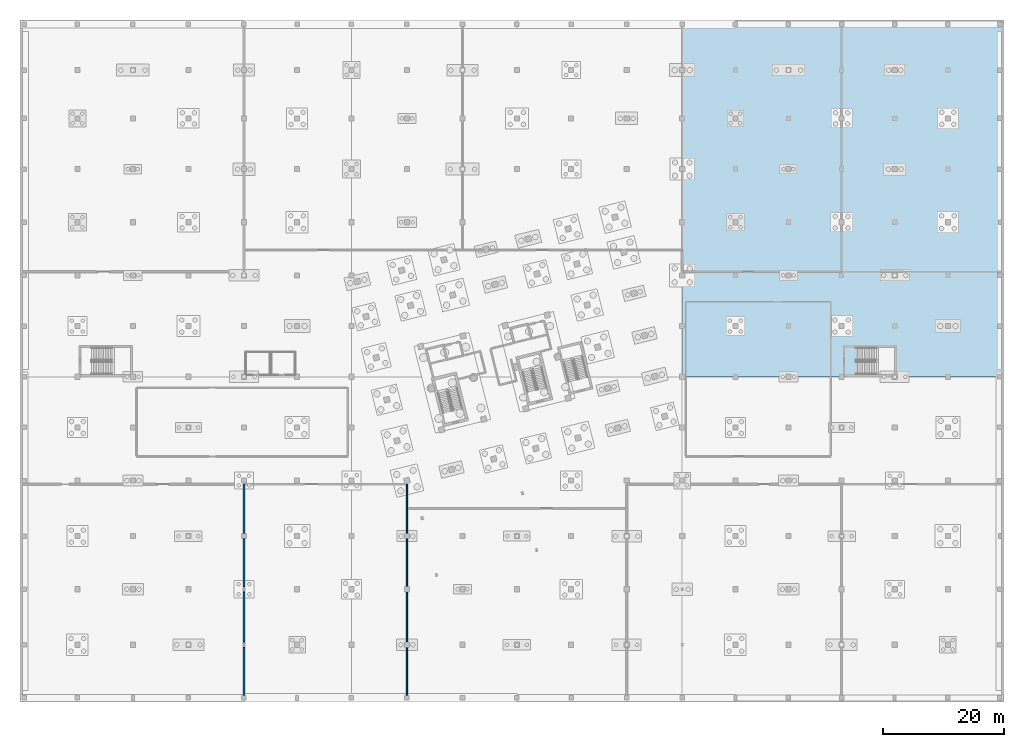
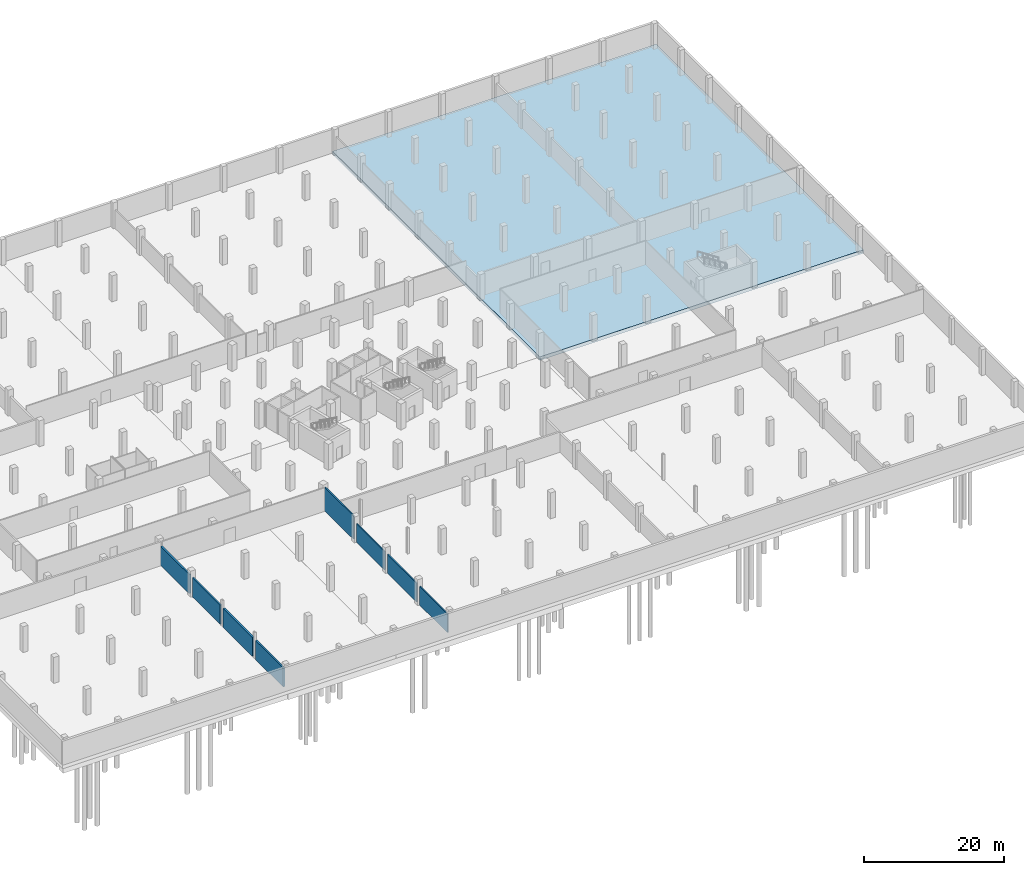
# One storey, part 13 of 29: 8 walls, 1 slab.
"""IFC4 building model written with IfcOpenShell, lengths in metres."""

from ifc_helpers import new_model, si_unit, direction, frame, frame_2d, origin, place, context, subcontext, project, spatial, polyline, rectangle, outline, extrude, material, layer, layer_set, type_object, element, save


model = new_model("IFC4")

# Units and contexts
model_context = context("Model", 3, precision=1e-05, world=origin(), true_north=direction((0.0, 1.0)))
body_context = subcontext(model_context, "Body", "Model", "MODEL_VIEW")
ifc_project = project(units=[si_unit("LENGTHUNIT", "METRE"), si_unit("AREAUNIT", "SQUARE_METRE"), si_unit("VOLUMEUNIT", "CUBIC_METRE"), si_unit("PLANEANGLEUNIT", "RADIAN"), si_unit("MASSUNIT", "GRAM", prefix="KILO")], contexts=[model_context])

# Site, building, storey
site_placement = place(None, origin())
site = spatial("IfcSite", under=ifc_project, at=site_placement, CompositionType="ELEMENT")
building_placement = place(site_placement, origin())
building = spatial("IfcBuilding", under=site, at=building_placement, Name="Meriwether Solvik Hall", CompositionType="ELEMENT")
storey_placement = place(building_placement, frame((0.0, 0.0, -9.0)))
storey = spatial("IfcBuildingStorey", under=building, at=storey_placement, Name="B02", CompositionType="ELEMENT", Elevation=-9.0)

# Slab
ifc_material_1 = material(Name="Concrete C40/50", Category="concrete")
ifc_layer_1 = layer(ifc_material_1, 0.60009765625)
ifc_layer_set_1 = layer_set([ifc_layer_1], Name="Concrete C40/50")
slab_type = type_object("IfcSlabType", Name="SLB-MAT-600", PredefinedType="BASESLAB", material=ifc_layer_set_1)
slab_placement = place(storey_placement, frame((0.0, 0.0, -0.60009765625)))
element("IfcSlab", 1, at=slab_placement, inside=storey, type_object=slab_type, Name="B02 Structural Slab Zone 6", PredefinedType="BASESLAB", context=body_context, shape_type="SweptSolid", body=[
    extrude(outline(polyline([(114.202880859375, 58.403076171875), (114.202880859375, 117.5), (167.5, 117.5), (167.5, 58.403076171875), (114.202880859375, 58.403076171875)])), origin(), (0.0, 0.0, 1.0), 0.60009765625),
])

# Walls
ifc_material_2 = material(Name="Fire-Rated Type X Gypsum Board", Category="gypsum")
ifc_layer_2 = layer(ifc_material_2, 0.199951171875)
ifc_layer_set_2 = layer_set([ifc_layer_2], Name="Fire-Rated Type X Gypsum Board")
wall_type_1 = type_object("IfcWallType", Name="WALL-FIRE-200", PredefinedType="STANDARD", material=ifc_layer_set_2)
wall_1_placement = place(storey_placement, frame((68.60009765625, 5.639892578125, 0.0), z_axis=(0.0, 0.0, 1.0), x_axis=(0.0, 1.0, 0.0)))
element("IfcWall", 2, at=wall_1_placement, inside=storey, type_object=wall_type_1, Name="B02 Interior Partition switch_e", PredefinedType="STANDARD", context=body_context, shape_type="SweptSolid", body=[
    extrude(rectangle(XDim=7.920166015625, YDim=0.199951171875, at=frame_2d((3.9599609375, 0.0))), origin(), (0.0, 0.0, 1.0), 3.25),
])
wall_2_placement = place(storey_placement, frame((68.60009765625, 14.43994140625, 0.0), z_axis=(0.0, 0.0, 1.0), x_axis=(0.0, 1.0, 0.0)))
element("IfcWall", 3, at=wall_2_placement, inside=storey, type_object=wall_type_1, Name="B02 Interior Partition switch_e_s2", PredefinedType="STANDARD", context=body_context, shape_type="SweptSolid", body=[
    extrude(rectangle(XDim=8.320068359375, YDim=0.199951171875, at=frame_2d((4.16015625, 0.0))), origin(), (0.0, 0.0, 1.0), 3.25),
])
wall_3_placement = place(storey_placement, frame((68.60009765625, 23.639892578125, 0.0), z_axis=(0.0, 0.0, 1.0), x_axis=(0.0, 1.0, 0.0)))
element("IfcWall", 4, at=wall_3_placement, inside=storey, type_object=wall_type_1, Name="B02 Interior Partition switch_e_s3", PredefinedType="STANDARD", context=body_context, shape_type="SweptSolid", body=[
    extrude(rectangle(XDim=7.920166015625, YDim=0.199951171875, at=frame_2d((3.9599609375, 0.0))), origin(), (0.0, 0.0, 1.0), 3.25),
])
wall_4_placement = place(storey_placement, frame((68.60009765625, 32.43994140625, 0.0), z_axis=(0.0, 0.0, 1.0), x_axis=(0.0, 1.0, 0.0)))
element("IfcWall", 5, at=wall_4_placement, inside=storey, type_object=wall_type_1, Name="B02 Interior Partition switch_e_s4", PredefinedType="STANDARD", context=body_context, shape_type="SweptSolid", body=[
    extrude(rectangle(XDim=8.16015625, YDim=0.199951171875, at=frame_2d((4.080078125, 0.0))), origin(), (0.0, 0.0, 1.0), 4.10009765625),
])
ifc_material_3 = material(Name="Concrete C35/45", Category="concrete")
ifc_layer_3 = layer(ifc_material_3, 0.280029296875)
ifc_layer_set_3 = layer_set([ifc_layer_3], Name="Concrete C35/45")
wall_type_2 = type_object("IfcWallType", Name="WALL-PLANT-280", PredefinedType="STANDARD", material=ifc_layer_set_3)
wall_5_placement = place(storey_placement, frame((41.60009765625, 5.639892578125, 0.0), z_axis=(0.0, 0.0, 1.0), x_axis=(0.0, 1.0, 0.0)))
element("IfcWall", 6, at=wall_5_placement, inside=storey, type_object=wall_type_2, Name="B02 Interior Partition chiller_e", PredefinedType="STANDARD", context=body_context, shape_type="SweptSolid", body=[
    extrude(rectangle(XDim=7.920166015625, YDim=0.280029296875, at=frame_2d((3.9599609375, 0.0))), origin(), (0.0, 0.0, 1.0), 3.320068359375),
])
wall_6_placement = place(storey_placement, frame((41.60009765625, 14.43994140625, 0.0), z_axis=(0.0, 0.0, 1.0), x_axis=(0.0, 1.0, 0.0)))
element("IfcWall", 7, at=wall_6_placement, inside=storey, type_object=wall_type_2, Name="B02 Interior Partition chiller_e_s2", PredefinedType="STANDARD", context=body_context, shape_type="SweptSolid", body=[
    extrude(rectangle(XDim=8.320068359375, YDim=0.280029296875, at=frame_2d((4.16015625, 0.0))), origin(), (0.0, 0.0, 1.0), 3.320068359375),
])
wall_7_placement = place(storey_placement, frame((41.60009765625, 23.639892578125, 0.0), z_axis=(0.0, 0.0, 1.0), x_axis=(0.0, 1.0, 0.0)))
element("IfcWall", 8, at=wall_7_placement, inside=storey, type_object=wall_type_2, Name="B02 Interior Partition chiller_e_s3", PredefinedType="STANDARD", context=body_context, shape_type="SweptSolid", body=[
    extrude(rectangle(XDim=7.920166015625, YDim=0.280029296875, at=frame_2d((3.9599609375, 0.0))), origin(), (0.0, 0.0, 1.0), 3.320068359375),
])
wall_8_placement = place(storey_placement, frame((41.60009765625, 32.43994140625, 0.0), z_axis=(0.0, 0.0, 1.0), x_axis=(0.0, 1.0, 0.0)))
element("IfcWall", 9, at=wall_8_placement, inside=storey, type_object=wall_type_2, Name="B02 Interior Partition chiller_e_s4", PredefinedType="STANDARD", context=body_context, shape_type="SweptSolid", body=[
    extrude(rectangle(XDim=8.16015625, YDim=0.280029296875, at=frame_2d((4.080078125, 0.0))), origin(), (0.0, 0.0, 1.0), 3.320068359375),
])

save(model, "model.ifc")
